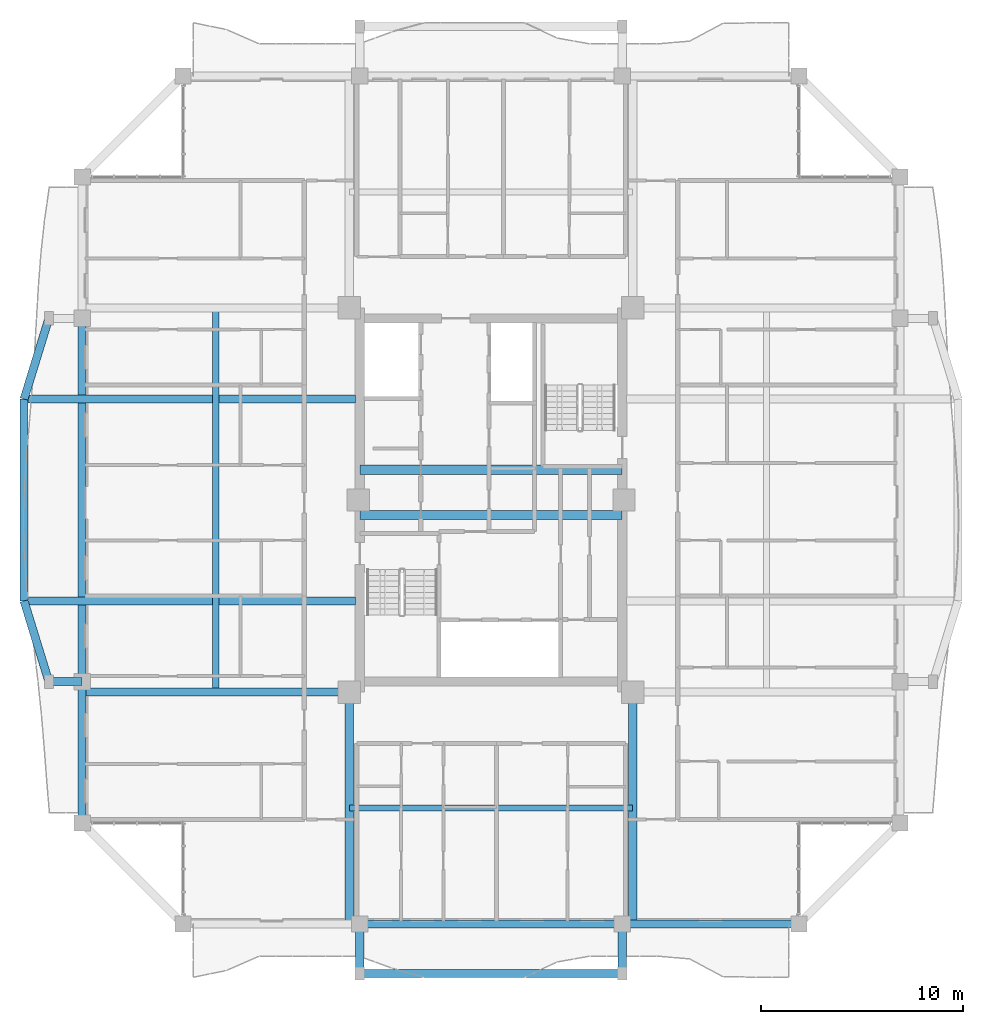
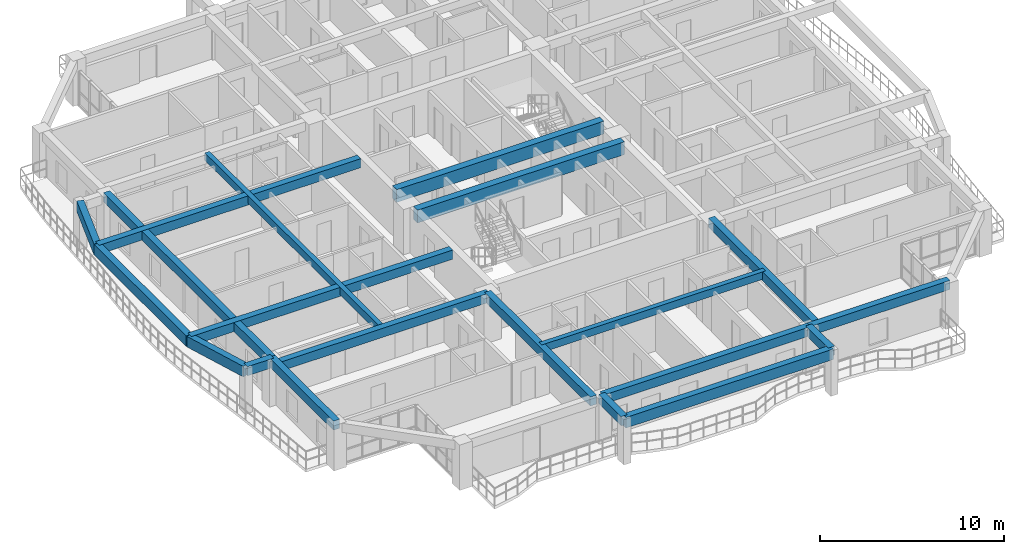
# One storey, part 3 of 22: 20 beams.
"""IFC4 building model written with IfcOpenShell, lengths in metres."""

from ifc_helpers import new_model, si_unit, direction, frame, origin, origin_2d, place, context, subcontext, project, spatial, rectangle, extrude, source, transform, mapped, material, material_profile, profile_set, type_object, element, save


model = new_model("IFC4")

# Units and contexts
model_context = context("Model", 3, precision=1e-05, world=origin(), true_north=direction((0.0, 1.0)))
body_context = subcontext(model_context, "Body", "Model", "MODEL_VIEW")
ifc_project = project(units=[si_unit("LENGTHUNIT", "METRE"), si_unit("AREAUNIT", "SQUARE_METRE"), si_unit("VOLUMEUNIT", "CUBIC_METRE"), si_unit("PLANEANGLEUNIT", "RADIAN"), si_unit("MASSUNIT", "GRAM", prefix="KILO")], contexts=[model_context])

# Site, building, storey
site_placement = place(None, origin())
site = spatial("IfcSite", under=ifc_project, at=site_placement, CompositionType="ELEMENT")
building_placement = place(site_placement, origin())
building = spatial("IfcBuilding", under=site, at=building_placement, Name="Saelheon Loggia Tower", CompositionType="ELEMENT")
storey_placement = place(building_placement, frame((0.0, 0.0, 176.800048828125)))
storey = spatial("IfcBuildingStorey", under=building, at=storey_placement, Name="L55", CompositionType="ELEMENT", Elevation=176.800048828125)

# Beams
ifc_material_1 = material(Name="Concrete C50/60", Category="concrete")
ifc_material_profile_1 = material_profile(ifc_material_1, rectangle(XDim=0.449951171875, YDim=0.85009765625, at=origin_2d()), Name="RC-450x850")
ifc_profile_set_1 = profile_set([ifc_material_profile_1], Name="Concrete C50/60")
beam_type_1 = type_object("IfcBeamType", Name="Beam_CoreLintel_RC450x850", PredefinedType="LINTEL", material=ifc_profile_set_1)
shared_shape_1 = source(origin(), body_context, "Body", "SweptSolid", [
    extrude(rectangle(XDim=0.449951171875, YDim=0.85009765625, at=origin_2d()), origin(), (0.0, 0.0, 1.0), 13.0),
])
for number, where, z_axis, x_axis, name in (
    (1, (31.5, 26.25, 2.574951171875), (1.0, 0.0, 0.0), (0.0, 1.0, 0.0), "L55 Core Coupling Lintel 1"),
    (2, (31.5, 28.5, 2.574951171875), (1.0, 0.0, 0.0), (0.0, 1.0, 0.0), "L55 Core Coupling Lintel 2"),
):
    element("IfcBeam", number, at=place(storey_placement, frame(where, z_axis=z_axis, x_axis=x_axis)), inside=storey, type_object=beam_type_1, Name=name, PredefinedType="LINTEL", context=body_context, shape_type="MappedRepresentation", body=[
        mapped(shared_shape_1, transform((0.0, 0.0, 0.0), scale=1.0)),
    ])
ifc_material_2 = material(Name="Precast Concrete C45/55", Category="concrete")
ifc_material_profile_2 = material_profile(ifc_material_2, rectangle(XDim=0.39990234375, YDim=0.60009765625, at=origin_2d()), Name="RC-400x600")
ifc_profile_set_2 = profile_set([ifc_material_profile_2], Name="Precast Concrete C45/55")
beam_type_2 = type_object("IfcBeamType", Name="Beam_LoggiaTie_RC400x600", PredefinedType="BEAM", material=ifc_profile_set_2)
shared_shape_2 = source(origin(), body_context, "Body", "SweptSolid", [
    extrude(rectangle(XDim=0.39990234375, YDim=0.60009765625, at=origin_2d()), origin(), (0.0, 0.0, 1.0), 2.449951171875),
])
for number, where, z_axis, x_axis, name in (
    (3, (31.5, 6.0, 2.699951171875), (0.0, -1.0, 0.0), (1.0, 0.0, 0.0), "L55 Loggia Frame Tie Beam LP-S1"),
    (4, (44.5, 6.0, 2.699951171875), (0.0, -1.0, 0.0), (1.0, 0.0, 0.0), "L55 Loggia Frame Tie Beam LP-S2"),
):
    element("IfcBeam", number, at=place(storey_placement, frame(where, z_axis=z_axis, x_axis=x_axis)), inside=storey, type_object=beam_type_2, Name=name, PredefinedType="BEAM", context=body_context, shape_type="MappedRepresentation", body=[
        mapped(shared_shape_2, transform((0.0, 0.0, 0.0), scale=1.0)),
    ])
ifc_material_3 = material(Name="Concrete C40/50", Category="concrete")
ifc_material_profile_3 = material_profile(ifc_material_3, rectangle(XDim=0.300048828125, YDim=0.5, at=origin_2d()), Name="RC-300x500")
ifc_profile_set_3 = profile_set([ifc_material_profile_3], Name="Concrete C40/50")
beam_type_3 = type_object("IfcBeamType", Name="Beam_Joist_RC300x500", PredefinedType="JOIST", material=ifc_profile_set_3)
shared_shape_3 = source(origin(), body_context, "Body", "SweptSolid", [
    extrude(rectangle(XDim=0.300048828125, YDim=0.5, at=origin_2d()), origin(), (0.0, 0.0, 1.0), 14.0400390625),
])
beam_1_placement = place(storey_placement, frame((30.97998046875, 11.739990234375, 2.75), z_axis=(1.0, 0.0, 0.0), x_axis=(0.0, 1.0, 0.0)))
element("IfcBeam", 5, at=beam_1_placement, inside=storey, type_object=beam_type_3, Name="L55 South Floor Joist", PredefinedType="JOIST", context=body_context, shape_type="MappedRepresentation", body=[
    mapped(shared_shape_3, transform((0.0, 0.0, 0.0), scale=1.0)),
])
shared_shape_4 = source(origin(), body_context, "Body", "SweptSolid", [
    extrude(rectangle(XDim=0.300048828125, YDim=0.5, at=origin_2d()), origin(), (0.0, 0.0, 1.0), 19.0400390625),
])
beam_2_placement = place(storey_placement, frame((24.364990234375, 17.47998046875, 2.75), z_axis=(0.0, 1.0, 0.0), x_axis=(-1.0, 0.0, 0.0)))
element("IfcBeam", 6, at=beam_2_placement, inside=storey, type_object=beam_type_3, Name="L55 West Floor Joist", PredefinedType="JOIST", context=body_context, shape_type="MappedRepresentation", body=[
    mapped(shared_shape_4, transform((0.0, 0.0, 0.0), scale=1.0)),
])
shared_shape_5 = source(origin(), body_context, "Body", "SweptSolid", [
    extrude(rectangle(XDim=0.39990234375, YDim=0.60009765625, at=origin_2d()), origin(), (0.0, 0.0, 1.0), 1.64990234375),
])
beam_3_placement = place(storey_placement, frame((17.75, 18.0, 2.699951171875), z_axis=(-1.0, 0.0, 0.0), x_axis=(0.0, -1.0, 0.0)))
element("IfcBeam", 7, at=beam_3_placement, inside=storey, type_object=beam_type_2, Name="L55 Loggia Frame Tie Beam LP-W1", PredefinedType="BEAM", context=body_context, shape_type="MappedRepresentation", body=[
    mapped(shared_shape_5, transform((0.0, 0.0, 0.0), scale=1.0)),
])
ifc_material_profile_4 = material_profile(ifc_material_2, rectangle(XDim=0.39990234375, YDim=0.699951171875, at=origin_2d()), Name="RC-400x700")
ifc_profile_set_4 = profile_set([ifc_material_profile_4], Name="Precast Concrete C45/55")
beam_type_4 = type_object("IfcBeamType", Name="Beam_LoggiaSpandrel_RC400x700", PredefinedType="SPANDREL", material=ifc_profile_set_4)
shared_shape_6 = source(origin(), body_context, "Body", "SweptSolid", [
    extrude(rectangle(XDim=0.39990234375, YDim=0.699951171875, at=origin_2d()), origin(), (0.0, 0.0, 1.0), 13.0),
])
beam_4_placement = place(storey_placement, frame((31.5, 3.550048828125, 2.64990234375), z_axis=(1.0, 0.0, 0.0), x_axis=(0.0, 1.0, 0.0)))
element("IfcBeam", 8, at=beam_4_placement, inside=storey, type_object=beam_type_4, Name="L55 Loggia Spandrel Beam S", PredefinedType="SPANDREL", context=body_context, shape_type="MappedRepresentation", body=[
    mapped(shared_shape_6, transform((0.0, 0.0, 0.0), scale=1.0)),
])
shared_shape_7 = source(origin(), body_context, "Body", "SweptSolid", [
    extrude(rectangle(XDim=0.39990234375, YDim=0.60009765625, at=origin_2d()), origin(), (0.0, 0.0, 1.0), 16.409912109375),
])
for number, where, z_axis, x_axis, name in (
    (9, (31.280029296875, 22.0, 2.699951171875), (-1.0, 0.0, 0.0), (0.0, -1.0, 0.0), "L55 Curved Facade Outrigger Beam W 1"),
    (10, (31.280029296875, 32.0, 2.699951171875), (-1.0, 0.0, 0.0), (0.0, -1.0, 0.0), "L55 Curved Facade Outrigger Beam W 2"),
):
    element("IfcBeam", number, at=place(storey_placement, frame(where, z_axis=z_axis, x_axis=x_axis)), inside=storey, type_object=beam_type_2, Name=name, PredefinedType="BEAM", context=body_context, shape_type="MappedRepresentation", body=[
        mapped(shared_shape_7, transform((0.0, 0.0, 0.0), scale=1.0)),
    ])
shared_shape_8 = source(origin(), body_context, "Body", "SweptSolid", [
    extrude(rectangle(XDim=0.39990234375, YDim=0.699951171875, at=origin_2d()), origin(), (0.0, 0.0, 1.0), 4.184814453125),
])
for number, where, z_axis, x_axis, name in (
    (11, (16.10009765625, 18.0, 2.64990234375), (-0.293913664135, 0.955831971653, 0.0), (-0.955831971653, -0.293913664135, 0.0), "L55 Curved Loggia Spandrel W 1"),
    (12, (14.8701171875, 32.0, 2.64990234375), (0.293913664135, 0.955831971653, 0.0), (-0.955831971653, 0.293913664135, 0.0), "L55 Curved Loggia Spandrel W 3"),
):
    element("IfcBeam", number, at=place(storey_placement, frame(where, z_axis=z_axis, x_axis=x_axis)), inside=storey, type_object=beam_type_4, Name=name, PredefinedType="SPANDREL", context=body_context, shape_type="MappedRepresentation", body=[
        mapped(shared_shape_8, transform((0.0, 0.0, 0.0), scale=1.0)),
    ])
shared_shape_9 = source(origin(), body_context, "Body", "SweptSolid", [
    extrude(rectangle(XDim=0.39990234375, YDim=0.699951171875, at=origin_2d()), origin(), (0.0, 0.0, 1.0), 10.0),
])
beam_5_placement = place(storey_placement, frame((14.8701171875, 22.0, 2.64990234375), z_axis=(0.0, 1.0, 0.0), x_axis=(-1.0, 0.0, 0.0)))
element("IfcBeam", 13, at=beam_5_placement, inside=storey, type_object=beam_type_4, Name="L55 Curved Loggia Spandrel W 2", PredefinedType="SPANDREL", context=body_context, shape_type="MappedRepresentation", body=[
    mapped(shared_shape_9, transform((0.0, 0.0, 0.0), scale=1.0)),
])
ifc_material_profile_5 = material_profile(ifc_material_3, rectangle(XDim=0.39990234375, YDim=0.60009765625, at=origin_2d()), Name="RC-400x600")
ifc_profile_set_5 = profile_set([ifc_material_profile_5], Name="Concrete C40/50")
beam_type_5 = type_object("IfcBeamType", Name="Beam_PerimUpper_RC400x600", PredefinedType="BEAM", material=ifc_profile_set_5)
shared_shape_10 = source(origin(), body_context, "Body", "SweptSolid", [
    extrude(rectangle(XDim=0.39990234375, YDim=0.60009765625, at=origin_2d()), origin(), (0.0, 0.0, 1.0), 8.75),
])
beam_6_placement = place(storey_placement, frame((44.5, 6.0, 2.699951171875), z_axis=(1.0, 0.0, 0.0), x_axis=(0.0, 1.0, 0.0)))
element("IfcBeam", 14, at=beam_6_placement, inside=storey, type_object=beam_type_5, Name="L55 Perimeter Frame Girder 03", PredefinedType="BEAM", context=body_context, shape_type="MappedRepresentation", body=[
    mapped(shared_shape_10, transform((0.0, 0.0, 0.0), scale=1.0)),
])
shared_shape_11 = source(origin(), body_context, "Body", "SweptSolid", [
    extrude(rectangle(XDim=0.39990234375, YDim=0.60009765625, at=origin_2d()), origin(), (0.0, 0.0, 1.0), 13.0),
])
beam_7_placement = place(storey_placement, frame((31.5, 6.0, 2.699951171875), z_axis=(1.0, 0.0, 0.0), x_axis=(0.0, 1.0, 0.0)))
element("IfcBeam", 15, at=beam_7_placement, inside=storey, type_object=beam_type_5, Name="L55 Perimeter Frame Girder 02", PredefinedType="BEAM", context=body_context, shape_type="MappedRepresentation", body=[
    mapped(shared_shape_11, transform((0.0, 0.0, 0.0), scale=1.0)),
])
shared_shape_12 = source(origin(), body_context, "Body", "SweptSolid", [
    extrude(rectangle(XDim=0.39990234375, YDim=0.60009765625, at=origin_2d()), origin(), (0.0, 0.0, 1.0), 7.0),
])
beam_8_placement = place(storey_placement, frame((17.75, 18.0, 2.699951171875), z_axis=(0.0, -1.0, 0.0), x_axis=(1.0, 0.0, 0.0)))
element("IfcBeam", 16, at=beam_8_placement, inside=storey, type_object=beam_type_5, Name="L55 Perimeter Frame Girder 15", PredefinedType="BEAM", context=body_context, shape_type="MappedRepresentation", body=[
    mapped(shared_shape_12, transform((0.0, 0.0, 0.0), scale=1.0)),
])
shared_shape_13 = source(origin(), body_context, "Body", "SweptSolid", [
    extrude(rectangle(XDim=0.39990234375, YDim=0.60009765625, at=origin_2d()), origin(), (0.0, 0.0, 1.0), 18.0),
])
beam_9_placement = place(storey_placement, frame((17.75, 36.0, 2.699951171875), z_axis=(0.0, -1.0, 0.0), x_axis=(1.0, 0.0, 0.0)))
element("IfcBeam", 17, at=beam_9_placement, inside=storey, type_object=beam_type_5, Name="L55 Perimeter Frame Girder 14", PredefinedType="BEAM", context=body_context, shape_type="MappedRepresentation", body=[
    mapped(shared_shape_13, transform((0.0, 0.0, 0.0), scale=1.0)),
])
ifc_material_profile_6 = material_profile(ifc_material_3, rectangle(XDim=0.39990234375, YDim=0.60009765625, at=origin_2d()), Name="RC-400x600")
ifc_profile_set_6 = profile_set([ifc_material_profile_6], Name="Concrete C40/50")
beam_type_6 = type_object("IfcBeamType", Name="Beam_UpperGirder_RC400x600", PredefinedType="BEAM", material=ifc_profile_set_6)
shared_shape_14 = source(origin(), body_context, "Body", "SweptSolid", [
    extrude(rectangle(XDim=0.39990234375, YDim=0.60009765625, at=origin_2d()), origin(), (0.0, 0.0, 1.0), 11.47998046875),
])
for number, where, z_axis, x_axis, name in (
    (18, (30.97998046875, 17.47998046875, 2.699951171875), (0.0, -1.0, 0.0), (1.0, 0.0, 0.0), "L55 Radial Floor Girder RAD-SW-S"),
    (19, (45.02001953125, 17.47998046875, 2.699951171875), (0.0, -1.0, 0.0), (1.0, 0.0, 0.0), "L55 Radial Floor Girder RAD-SE-S"),
):
    element("IfcBeam", number, at=place(storey_placement, frame(where, z_axis=z_axis, x_axis=x_axis)), inside=storey, type_object=beam_type_6, Name=name, PredefinedType="BEAM", context=body_context, shape_type="MappedRepresentation", body=[
        mapped(shared_shape_14, transform((0.0, 0.0, 0.0), scale=1.0)),
    ])
shared_shape_15 = source(origin(), body_context, "Body", "SweptSolid", [
    extrude(rectangle(XDim=0.39990234375, YDim=0.60009765625, at=origin_2d()), origin(), (0.0, 0.0, 1.0), 13.22998046875),
])
beam_10_placement = place(storey_placement, frame((30.97998046875, 17.47998046875, 2.699951171875), z_axis=(-1.0, 0.0, 0.0), x_axis=(0.0, -1.0, 0.0)))
element("IfcBeam", 20, at=beam_10_placement, inside=storey, type_object=beam_type_6, Name="L55 Radial Floor Girder RAD-SW-W", PredefinedType="BEAM", context=body_context, shape_type="MappedRepresentation", body=[
    mapped(shared_shape_15, transform((0.0, 0.0, 0.0), scale=1.0)),
])

save(model, "model.ifc")
